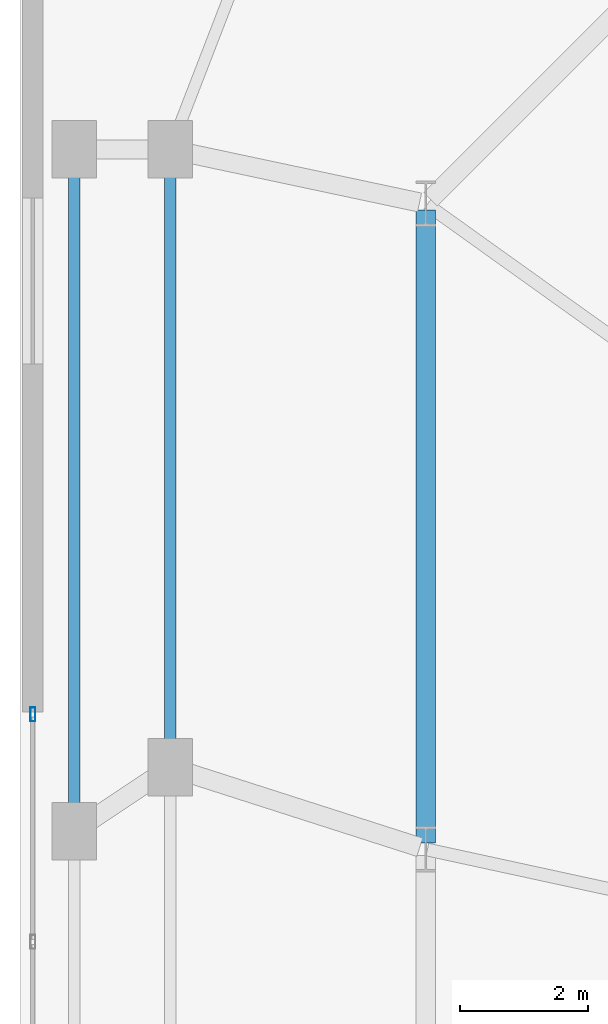
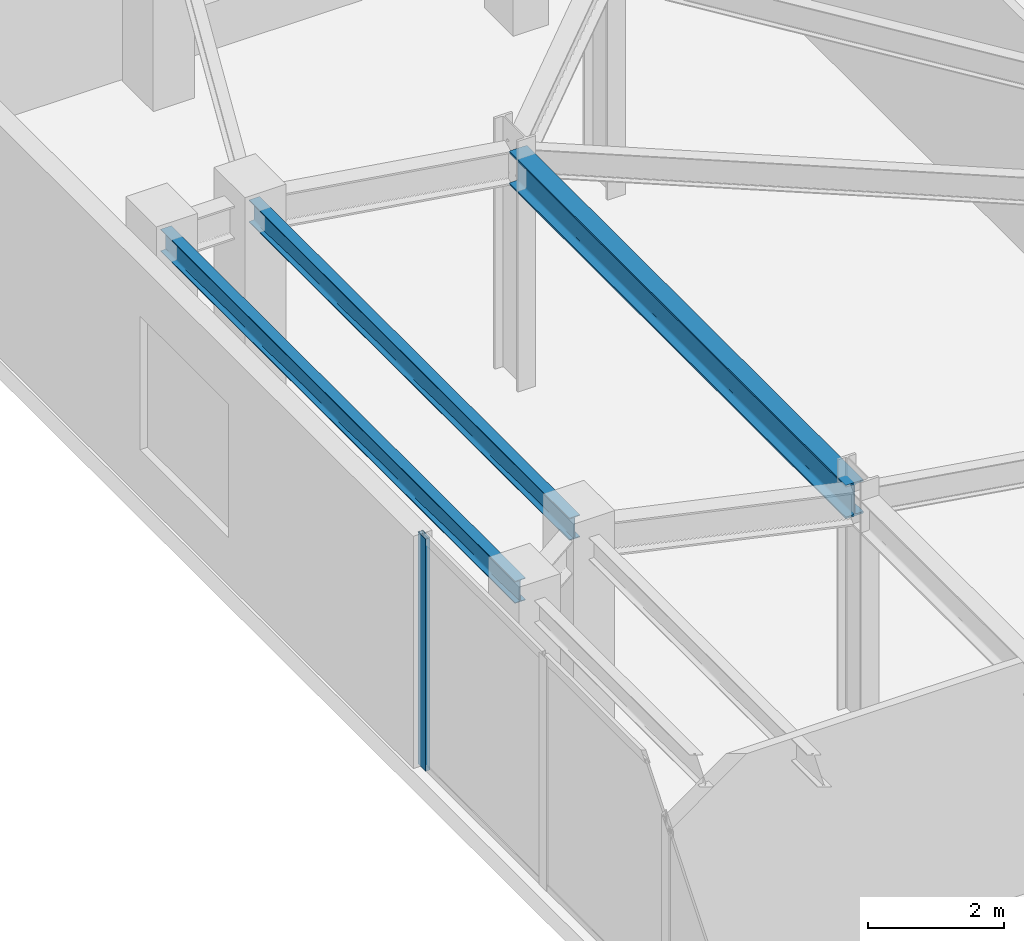
# One storey, part 9 of 23: 3 beams, 1 member, 1 element without a shape of its own.
"""IFC4 building model written with IfcOpenShell, lengths in metres."""

from ifc_helpers import new_model, si_unit, direction, frame, origin, origin_2d, place, context, subcontext, project, spatial, hollow_rectangle, i_section, extrude, material, layer, layer_set, material_profile, profile_set, type_object, element, aggregate, save


model = new_model("IFC4")

# Units and contexts
model_context = context("Model", 3, precision=1e-05, world=origin(), true_north=direction((0.0, 1.0)))
body_context = subcontext(model_context, "Body", "Model", "MODEL_VIEW")
ifc_project = project(units=[si_unit("LENGTHUNIT", "METRE"), si_unit("AREAUNIT", "SQUARE_METRE"), si_unit("VOLUMEUNIT", "CUBIC_METRE"), si_unit("PLANEANGLEUNIT", "RADIAN"), si_unit("MASSUNIT", "GRAM", prefix="KILO")], contexts=[model_context])

# Site, building, storey
site_placement = place(None, origin())
site = spatial("IfcSite", under=ifc_project, at=site_placement, CompositionType="ELEMENT")
building_placement = place(site_placement, origin())
building = spatial("IfcBuilding", under=site, at=building_placement, Name="Qobustan Lattice House", CompositionType="ELEMENT")
storey_placement = place(building_placement, frame((0.0, 0.0, 9.0)))
storey = spatial("IfcBuildingStorey", under=building, at=storey_placement, Name="L02", CompositionType="ELEMENT", Elevation=9.0)

# Beams
ifc_material_1 = material(Name="Steel S355", Category="steel")
ifc_material_profile_1 = material_profile(ifc_material_1, i_section(OverallWidth=0.300048828125, OverallDepth=0.60009765625, WebThickness=0.015380859375, FlangeThickness=0.030029296875, FilletRadius=0.027099609375, at=origin_2d()), Name="HEB600")
ifc_profile_set_1 = profile_set([ifc_material_profile_1], Name="Steel S355")
beam_type_1 = type_object("IfcBeamType", Name="BM-POD-HEB600", PredefinedType="USERDEFINED", material=ifc_profile_set_1)
beam_1_placement = place(storey_placement, frame((-32.14990234375, 15.050048828125, 3.8701171875), z_axis=(0.0, -1.0, 0.0), x_axis=(1.0, 0.0, 0.0)))
element("IfcBeam", 1, at=beam_1_placement, inside=storey, type_object=beam_type_1, Name="L02 tower base ring girder W1-W2", ObjectType="GIRDER", PredefinedType="USERDEFINED", context=body_context, shape_type="SweptSolid", body=[
    extrude(i_section(OverallWidth=0.300048828125, OverallDepth=0.60009765625, WebThickness=0.015380859375, FlangeThickness=0.030029296875, FilletRadius=0.027099609375, at=origin_2d()), origin(), (0.0, 0.0, 1.0), 9.900146484375),
])
ifc_material_2 = material(Name="Steel S355", Category="steel")
ifc_material_profile_2 = material_profile(ifc_material_2, i_section(OverallWidth=0.179931640625, OverallDepth=0.39990234375, WebThickness=0.008544921875, FlangeThickness=0.013427734375, FilletRadius=0.02099609375, at=origin_2d()), Name="IPE400")
ifc_profile_set_2 = profile_set([ifc_material_profile_2], Name="Steel S355")
beam_type_2 = type_object("IfcBeamType", Name="BM-SPD-IPE400", PredefinedType="SPANDREL", material=ifc_profile_set_2)
beam_2_placement = place(storey_placement, frame((-36.14990234375, 6.453369140625, 3.969970703125), z_axis=(0.0, 1.0, 0.0), x_axis=(-1.0, 0.0, 0.0)))
element("IfcBeam", 2, at=beam_2_placement, inside=storey, type_object=beam_type_2, Name="L02 podium spandrel PW3-PW4", PredefinedType="SPANDREL", context=body_context, shape_type="SweptSolid", body=[
    extrude(i_section(OverallWidth=0.179931640625, OverallDepth=0.39990234375, WebThickness=0.008544921875, FlangeThickness=0.013427734375, FilletRadius=0.02099609375, at=origin_2d()), origin(), (0.0, 0.0, 1.0), 9.4267578125),
])
beam_3_placement = place(storey_placement, frame((-37.64990234375, 5.453369140625, 3.969970703125), z_axis=(0.0, 1.0, 0.0), x_axis=(-1.0, 0.0, 0.0)))
element("IfcBeam", 3, at=beam_3_placement, inside=storey, type_object=beam_type_2, Name="L02 lower podium spandrel PWL3-PWL4", PredefinedType="SPANDREL", context=body_context, shape_type="SweptSolid", body=[
    extrude(i_section(OverallWidth=0.179931640625, OverallDepth=0.39990234375, WebThickness=0.008544921875, FlangeThickness=0.013427734375, FilletRadius=0.02099609375, at=origin_2d()), origin(), (0.0, 0.0, 1.0), 10.4267578125),
])

# Curtain wall, member
ifc_material_3 = material(Name="Anodised aluminium and low-E glazing", Category="aluminium")
ifc_layer = layer(ifc_material_3, 0.219970703125)
ifc_layer_set = layer_set([ifc_layer], Name="Anodised aluminium and low-E glazing")
curtain_wall_type = type_object("IfcCurtainWallType", Name="CW-POD-01", PredefinedType="USERDEFINED", material=ifc_layer_set)
curtain_wall_placement = place(storey_placement, origin())
curtain_wall = element("IfcCurtainWall", 4, at=curtain_wall_placement, inside=storey, type_object=curtain_wall_type, Name="L02 W podium colonnade curtain wall", ObjectType="CURTAIN WALL", PredefinedType="USERDEFINED")
ifc_material_4 = material(Name="Anodised aluminium EN AW-6063 T6", Category="aluminium")
ifc_material_profile_3 = material_profile(ifc_material_4, hollow_rectangle(XDim=0.080078125, YDim=0.219970703125, WallThickness=0.0048828125, at=origin_2d()), Name="CWM-220x80")
ifc_profile_set_3 = profile_set([ifc_material_profile_3], Name="Anodised aluminium EN AW-6063 T6")
member_type = type_object("IfcMemberType", Name="CWM-MAIN-220", PredefinedType="MULLION", material=ifc_profile_set_3)
member_placement = place(storey_placement, frame((-38.300048828125, 7.159912109375, 0.0), z_axis=(0.0, 0.0, 1.0), x_axis=(-1.0, 0.0, 0.0)))
member = element("IfcMember", 5, at=member_placement, type_object=member_type, Name="CW-P1 mullion 5", PredefinedType="MULLION", context=body_context, shape_type="SweptSolid", body=[
    extrude(hollow_rectangle(XDim=0.080078125, YDim=0.219970703125, WallThickness=0.0048828125, at=origin_2d()), origin(), (0.0, 0.0, 1.0), 4.169921875),
])
aggregate(curtain_wall, [member])

save(model, "model.ifc")
